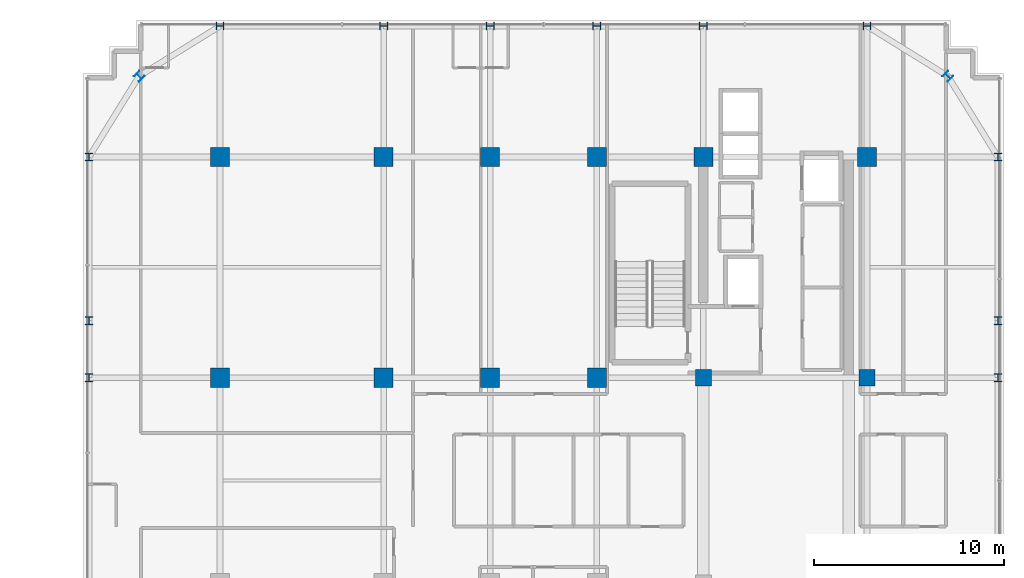
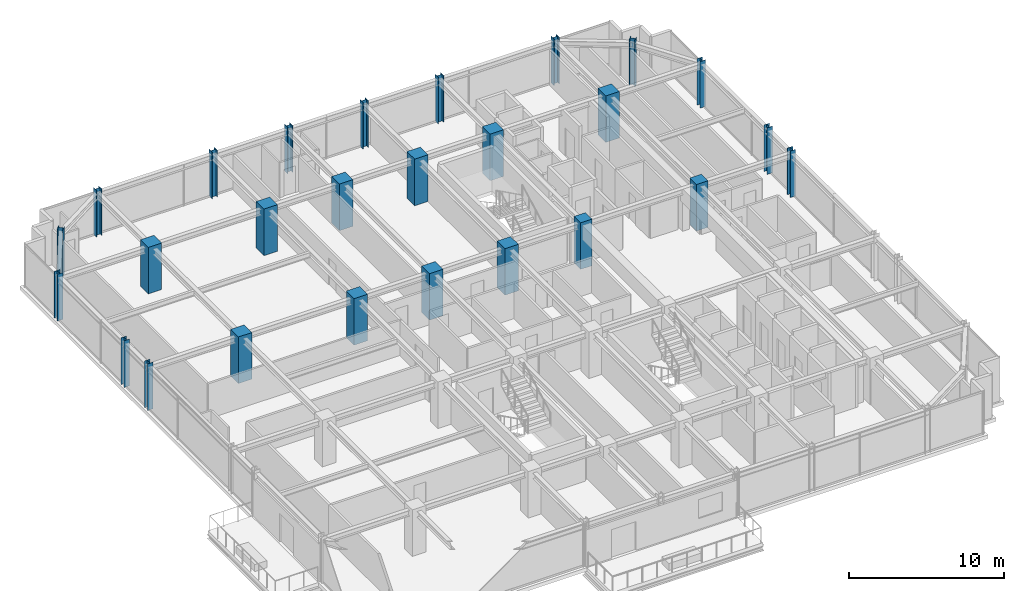
# One storey, part 2 of 32: 26 columns.
"""IFC4 building model written with IfcOpenShell, lengths in metres."""

from ifc_helpers import new_model, si_unit, direction, frame, origin, origin_2d, place, context, subcontext, project, spatial, rectangle, i_section, extrude, source, transform, mapped, material, material_profile, profile_set, type_object, element, save


model = new_model("IFC4")

# Units and contexts
model_context = context("Model", 3, precision=1e-05, world=origin(), true_north=direction((0.0, 1.0)))
body_context = subcontext(model_context, "Body", "Model", "MODEL_VIEW")
ifc_project = project(units=[si_unit("LENGTHUNIT", "METRE"), si_unit("AREAUNIT", "SQUARE_METRE"), si_unit("VOLUMEUNIT", "CUBIC_METRE"), si_unit("PLANEANGLEUNIT", "RADIAN"), si_unit("MASSUNIT", "GRAM", prefix="KILO")], contexts=[model_context])

# Site, building, storey
site_placement = place(None, origin())
site = spatial("IfcSite", under=ifc_project, at=site_placement, CompositionType="ELEMENT")
building_placement = place(site_placement, origin())
building = spatial("IfcBuilding", under=site, at=building_placement, Name="Nahalor Promenade Grand Hotel", CompositionType="ELEMENT")
storey_placement = place(building_placement, frame((0.0, 0.0, 230.800048828125)))
storey = spatial("IfcBuildingStorey", under=building, at=storey_placement, Name="L59", CompositionType="ELEMENT", Elevation=230.800048828125)

# Columns
ifc_material_1 = material(Name="Concrete B-60 (C50/60)", Category="concrete")
ifc_material_profile_1 = material_profile(ifc_material_1, rectangle(XDim=1.0, YDim=1.0, at=origin_2d()), Name="RC 1000x1000")
ifc_profile_set_1 = profile_set([ifc_material_profile_1], Name="Concrete B-60 (C50/60)")
column_type_1 = type_object("IfcColumnType", Name="Col-RC-1000", PredefinedType="COLUMN", material=ifc_profile_set_1)
shared_shape_1 = source(origin(), body_context, "Body", "SweptSolid", [
    extrude(rectangle(XDim=1.0, YDim=1.0, at=origin_2d()), origin(), (0.0, 0.0, 1.0), 3.655029296875),
])
for number, where, z_axis, x_axis, name in (
    (1, (-17.0, 5.39990234375, 0.0), (0.0, 0.0, 1.0), (1.0, 0.0, 0.0), "COL-L59-I02"),
    (2, (-17.0, 17.0, 0.0), (0.0, 0.0, 1.0), (1.0, 0.0, 0.0), "COL-L59-I03"),
    (3, (-8.39990234375, 5.39990234375, 0.0), (0.0, 0.0, 1.0), (1.0, 0.0, 0.0), "COL-L59-I12"),
    (4, (-8.39990234375, 17.0, 0.0), (0.0, 0.0, 1.0), (1.0, 0.0, 0.0), "COL-L59-I13"),
    (5, (-2.800048828125, 5.39990234375, 0.0), (0.0, 0.0, 1.0), (1.0, 0.0, 0.0), "COL-L59-I22"),
    (6, (-2.800048828125, 17.0, 0.0), (0.0, 0.0, 1.0), (1.0, 0.0, 0.0), "COL-L59-I23"),
    (7, (2.800048828125, 5.39990234375, 0.0), (0.0, 0.0, 1.0), (1.0, 0.0, 0.0), "COL-L59-I32"),
    (8, (2.800048828125, 17.0, 0.0), (0.0, 0.0, 1.0), (1.0, 0.0, 0.0), "COL-L59-I33"),
    (9, (8.39990234375, 17.0, 0.0), (0.0, 0.0, 1.0), (1.0, 0.0, 0.0), "COL-L59-I43"),
    (10, (17.0, 17.0, 0.0), (0.0, 0.0, 1.0), (1.0, 0.0, 0.0), "COL-L59-I53"),
):
    element("IfcColumn", number, at=place(storey_placement, frame(where, z_axis=z_axis, x_axis=x_axis)), inside=storey, type_object=column_type_1, Name=name, PredefinedType="COLUMN", context=body_context, shape_type="MappedRepresentation", body=[
        mapped(shared_shape_1, transform((0.0, 0.0, 0.0), scale=1.0)),
    ])
ifc_material_2 = material(Name="Concrete B-70 (C60/75)", Category="concrete")
ifc_material_profile_2 = material_profile(ifc_material_2, rectangle(XDim=0.85, YDim=0.85, at=origin_2d()), Name="RC 850x850")
ifc_profile_set_2 = profile_set([ifc_material_profile_2], Name="Concrete B-70 (C60/75)")
column_type_2 = type_object("IfcColumnType", Name="Col-Pilaster-850", PredefinedType="PILASTER", material=ifc_profile_set_2)
shared_shape_2 = source(origin(), body_context, "Body", "SweptSolid", [
    extrude(rectangle(XDim=0.85, YDim=0.85, at=origin_2d()), origin(), (0.0, 0.0, 1.0), 3.655029296875),
])
for number, where, z_axis, x_axis, name in (
    (11, (8.39990234375, 5.39990234375, 0.0), (0.0, 0.0, 1.0), (1.0, 0.0, 0.0), "COL-L59-I42"),
    (12, (17.0, 5.39990234375, 0.0), (0.0, 0.0, 1.0), (1.0, 0.0, 0.0), "COL-L59-I52"),
):
    element("IfcColumn", number, at=place(storey_placement, frame(where, z_axis=z_axis, x_axis=x_axis)), inside=storey, type_object=column_type_2, Name=name, PredefinedType="PILASTER", context=body_context, shape_type="MappedRepresentation", body=[
        mapped(shared_shape_2, transform((0.0, 0.0, 0.0), scale=1.0)),
    ])
ifc_material_3 = material(Name="Steel S355JR", Category="steel")
ifc_material_profile_3 = material_profile(ifc_material_3, i_section(OverallWidth=0.401, OverallDepth=0.406, WebThickness=0.0161, FlangeThickness=0.025, at=origin_2d()), Name="HD 400x314")
ifc_profile_set_3 = profile_set([ifc_material_profile_3], Name="Steel S355JR")
column_type_3 = type_object("IfcColumnType", Name="Col-Steel-HD314", PredefinedType="COLUMN", material=ifc_profile_set_3)
shared_shape_3 = source(origin(), body_context, "Body", "SweptSolid", [
    extrude(i_section(OverallWidth=0.401, OverallDepth=0.406, WebThickness=0.0161, FlangeThickness=0.025, at=origin_2d()), origin(), (0.0, 0.0, 1.0), 3.655029296875),
])
for number, where, z_axis, x_axis, name in (
    (13, (-23.8798828125, 5.39990234375, 0.0), (0.0, 0.0, 1.0), (1.0, 0.0, 0.0), "COL-L59-PW-W3"),
    (14, (23.8798828125, 5.39990234375, 0.0), (0.0, 0.0, 1.0), (1.0, 0.0, 0.0), "COL-L59-PW-E3"),
    (15, (-23.8798828125, 8.39990234375, 0.0), (0.0, 0.0, 1.0), (1.0, 0.0, 0.0), "COL-L59-PW-W4"),
    (16, (23.8798828125, 8.39990234375, 0.0), (0.0, 0.0, 1.0), (1.0, 0.0, 0.0), "COL-L59-PW-E4"),
    (17, (-23.8798828125, 17.0, 0.0), (0.0, 0.0, 1.0), (1.0, 0.0, 0.0), "COL-L59-PW-W5"),
    (18, (23.8798828125, 17.0, 0.0), (0.0, 0.0, 1.0), (1.0, 0.0, 0.0), "COL-L59-PW-E5"),
    (19, (-17.0, 23.8798828125, 0.0), (0.0, 0.0, 1.0), (0.0, 1.0, 0.0), "COL-L59-PN-N0"),
    (20, (-8.39990234375, 23.8798828125, 0.0), (0.0, 0.0, 1.0), (0.0, 1.0, 0.0), "COL-L59-PN-N1"),
    (21, (-2.800048828125, 23.8798828125, 0.0), (0.0, 0.0, 1.0), (0.0, 1.0, 0.0), "COL-L59-PN-N2"),
    (22, (2.800048828125, 23.8798828125, 0.0), (0.0, 0.0, 1.0), (0.0, 1.0, 0.0), "COL-L59-PN-N3"),
    (23, (8.39990234375, 23.8798828125, 0.0), (0.0, 0.0, 1.0), (0.0, 1.0, 0.0), "COL-L59-PN-N4"),
    (24, (17.0, 23.8798828125, 0.0), (0.0, 0.0, 1.0), (0.0, 1.0, 0.0), "COL-L59-PN-N5"),
    (25, (-21.25, 21.25, 0.0), (0.0, 0.0, 1.0), (0.707106781187, 0.707106781187, 0.0), "COL-L59-CRN-NW"),
    (26, (21.25, 21.25, 0.0), (0.0, 0.0, 1.0), (0.707106781187, 0.707106781187, 0.0), "COL-L59-CRN-NE"),
):
    element("IfcColumn", number, at=place(storey_placement, frame(where, z_axis=z_axis, x_axis=x_axis)), inside=storey, type_object=column_type_3, Name=name, PredefinedType="COLUMN", context=body_context, shape_type="MappedRepresentation", body=[
        mapped(shared_shape_3, transform((0.0, 0.0, 0.0), scale=1.0)),
    ])

save(model, "model.ifc")
